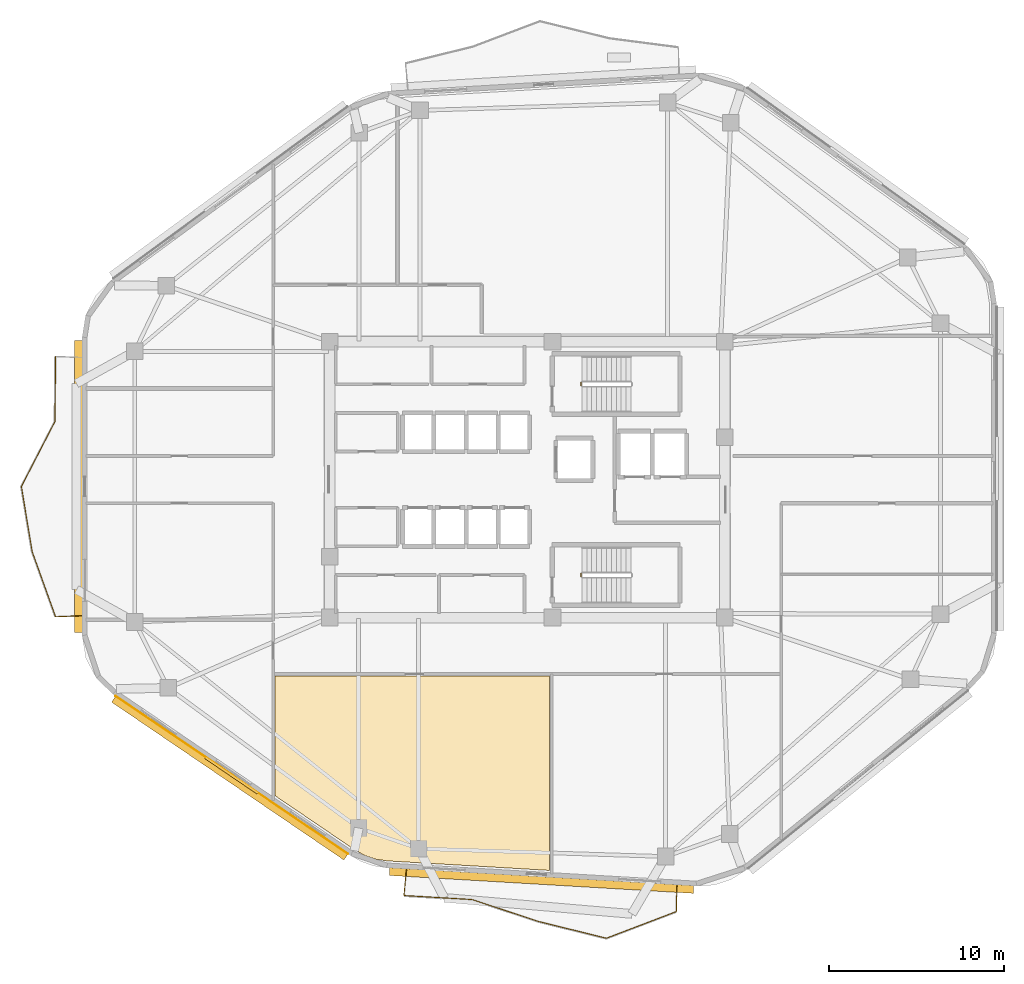
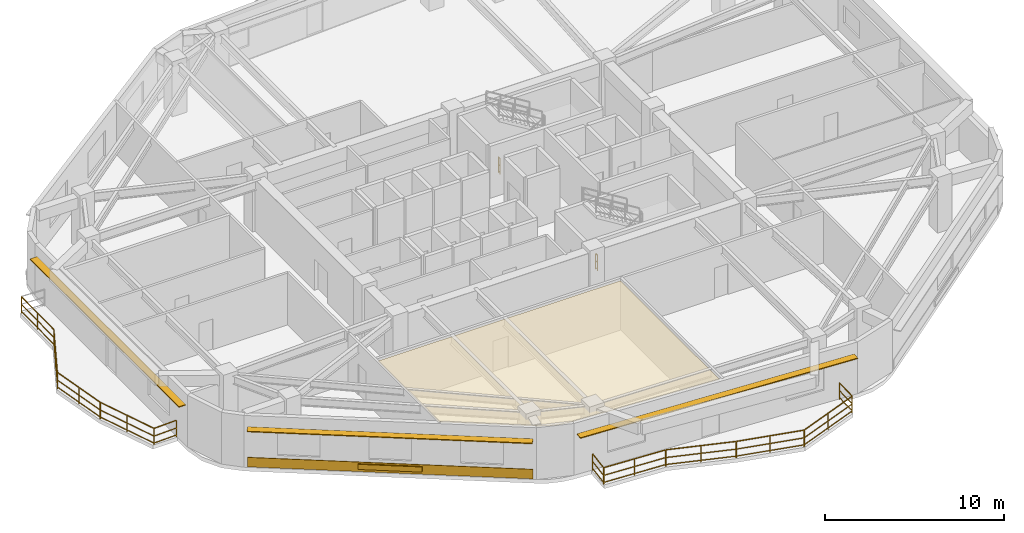
# One storey, part 7 of 9: 13 railings, 4 shading devices, 2 coverings.
"""IFC4 building model written with IfcOpenShell, lengths in metres."""

from ifc_helpers import new_model, si_unit, direction, frame, origin, origin_2d, place, context, subcontext, project, spatial, polyline, rectangle, outline, extrude, material, layer, layer_set, type_object, element, save


model = new_model("IFC4")

# Units and contexts
model_context = context("Model", 3, precision=1e-05, world=origin(), true_north=direction((0.0, 1.0)))
body_context = subcontext(model_context, "Body", "Model", "MODEL_VIEW")
ifc_project = project(units=[si_unit("LENGTHUNIT", "METRE"), si_unit("AREAUNIT", "SQUARE_METRE"), si_unit("VOLUMEUNIT", "CUBIC_METRE"), si_unit("PLANEANGLEUNIT", "RADIAN"), si_unit("MASSUNIT", "GRAM", prefix="KILO")], contexts=[model_context])

# Site, building, storey
site_placement = place(None, origin())
site = spatial("IfcSite", under=ifc_project, at=site_placement, CompositionType="ELEMENT")
building_placement = place(site_placement, origin())
building = spatial("IfcBuilding", under=site, at=building_placement, Name="Zulverin Broadcast Headquarters", CompositionType="ELEMENT")
storey_placement = place(building_placement, frame((0.0, 0.0, 212.39990234375)))
storey = spatial("IfcBuildingStorey", under=building, at=storey_placement, Name="L54", CompositionType="ELEMENT", Elevation=212.39990234375)

# Coverings
ifc_material_1 = material(Name="Perforated pale-metal acoustic baffle ceiling", Category="aluminium")
ifc_layer_1 = layer(ifc_material_1, 0.0400390625, Name="Perforated pale-metal acoustic baffle ceiling", Category="aluminium")
ifc_layer_set_1 = layer_set([ifc_layer_1], Name="Perforated pale-metal acoustic baffle ceiling")
covering_type_1 = type_object("IfcCoveringType", Name="COV-CEIL-ACOU", PredefinedType="CEILING", material=ifc_layer_set_1)
covering_1_placement = place(storey_placement, frame((0.0, 0.0, 3.360107421875)))
element("IfcCovering", 1, at=covering_1_placement, inside=storey, type_object=covering_type_1, Name="L54 Acoustic Baffle Ceiling 03", PredefinedType="CEILING", context=body_context, shape_type="SweptSolid", body=[
    extrude(outline(polyline([(27.73193359375, 3.739990234375), (28.343994140625, 3.531982421875), (29.0, 3.431884765625), (38.280029296875, 2.887939453125), (38.280029296875, 13.97998046875), (22.6201171875, 13.97998046875), (22.6201171875, 7.14404296875), (27.156005859375, 4.06396484375), (27.73193359375, 3.739990234375)])), origin(), (0.0, 0.0, 1.0), 0.0400390625),
])
ifc_material_2 = material(Name="Brushed pale-aluminium rainscreen cladding", Category="aluminium")
ifc_layer_2 = layer(ifc_material_2, 0.0400390625, Name="Brushed pale-aluminium rainscreen cladding", Category="aluminium")
ifc_layer_set_2 = layer_set([ifc_layer_2], Name="Brushed pale-aluminium rainscreen cladding")
covering_type_2 = type_object("IfcCoveringType", Name="COV-CLAD-PALE", PredefinedType="CLADDING", material=ifc_layer_set_2)
covering_2_placement = place(storey_placement, frame((20.141845703125, 8.33154296875, 0.05517578125), z_axis=(0.0, 0.0, 1.0), x_axis=(0.82702465201, -0.562165656162, 0.0)))
element("IfcCovering", 2, at=covering_2_placement, inside=storey, type_object=covering_type_2, Name="L54 Brushed Pale-Aluminium Spandrel Cladding 8", PredefinedType="CLADDING", context=body_context, shape_type="SweptSolid", body=[
    extrude(rectangle(XDim=16.03515625, YDim=0.0400390625, at=origin_2d()), origin(), (0.0, 0.0, 1.0), 0.64990234375),
])

# Railings
ifc_material_3 = material(Name="Brushed stainless steel & laminated glass balustrade", Category="steel")
railing_type_1 = type_object("IfcRailingType", Name="RL-GUARD-1150", PredefinedType="GUARDRAIL", material=ifc_material_3)
railing_1_placement = place(storey_placement, frame((10.079833984375, 32.225341796875, 0.0)))
element("IfcRailing", 3, at=railing_1_placement, inside=storey, type_object=railing_type_1, Name="L54 Vertical-Forest Balcony Guardrail BAL_W Segment 02", PredefinedType="GUARDRAIL", context=body_context, shape_type="SweptSolid", body=[
    extrude(rectangle(XDim=0.048095703125, YDim=0.048095703125, at=origin_2d()), frame((0.0, 0.0, 1.1259765625), z_axis=(-0.00827402669, -0.999965769655, 0.0), x_axis=(0.999965769655, -0.00827402669, 0.0)), (0.0, 0.0, 1.0), 3.6884765625),
    extrude(rectangle(XDim=0.0419921875, YDim=0.0419921875, at=origin_2d()), frame((0.0, 0.0, 0.597900390625), z_axis=(-0.00827402669, -0.999965769655, 0.0), x_axis=(0.999965769655, -0.00827402669, 0.0)), (0.0, 0.0, 1.0), 3.6884765625),
    extrude(rectangle(XDim=0.0419921875, YDim=0.0419921875, at=origin_2d()), frame((0.0, 0.0, 0.1201171875), z_axis=(-0.00827402669, -0.999965769655, 0.0), x_axis=(0.999965769655, -0.00827402669, 0.0)), (0.0, 0.0, 1.0), 3.6884765625),
    extrude(rectangle(XDim=0.0419921875, YDim=0.0419921875, at=origin_2d()), origin(), (0.0, 0.0, 1.0), 1.101806640625),
    extrude(rectangle(XDim=0.0419921875, YDim=0.0419921875, at=origin_2d()), frame((-0.01513671875, -1.84423828125, 0.0)), (0.0, 0.0, 1.0), 1.101806640625),
    extrude(rectangle(XDim=0.0419921875, YDim=0.0419921875, at=origin_2d()), frame((-0.030517578125, -3.688232421875, 0.0)), (0.0, 0.0, 1.0), 1.101806640625),
])
railing_2_placement = place(storey_placement, frame((10.04248046875, 28.5087890625, 0.0)))
element("IfcRailing", 4, at=railing_2_placement, inside=storey, type_object=railing_type_1, Name="L54 Vertical-Forest Balcony Guardrail BAL_W Segment 03", PredefinedType="GUARDRAIL", context=body_context, shape_type="SweptSolid", body=[
    extrude(rectangle(XDim=0.048095703125, YDim=0.048095703125, at=origin_2d()), frame((0.0, 0.0, 1.1259765625), z_axis=(-0.458695314059, -0.888593612885, 0.0), x_axis=(0.888593612885, -0.458695314059, 0.0)), (0.0, 0.0, 1.0), 4.154296875),
    extrude(rectangle(XDim=0.0419921875, YDim=0.0419921875, at=origin_2d()), frame((0.0, 0.0, 0.597900390625), z_axis=(-0.458695314059, -0.888593612885, 0.0), x_axis=(0.888593612885, -0.458695314059, 0.0)), (0.0, 0.0, 1.0), 4.154296875),
    extrude(rectangle(XDim=0.0419921875, YDim=0.0419921875, at=origin_2d()), frame((0.0, 0.0, 0.1201171875), z_axis=(-0.458695314059, -0.888593612885, 0.0), x_axis=(0.888593612885, -0.458695314059, 0.0)), (0.0, 0.0, 1.0), 4.154296875),
    extrude(rectangle(XDim=0.0419921875, YDim=0.0419921875, at=origin_2d()), origin(), (0.0, 0.0, 1.0), 1.101806640625),
    extrude(rectangle(XDim=0.0419921875, YDim=0.0419921875, at=origin_2d()), frame((-0.95263671875, -1.845703125, 0.0)), (0.0, 0.0, 1.0), 1.101806640625),
    extrude(rectangle(XDim=0.0419921875, YDim=0.0419921875, at=origin_2d()), frame((-1.905517578125, -3.69140625, 0.0)), (0.0, 0.0, 1.0), 1.101806640625),
])
railing_3_placement = place(storey_placement, frame((8.13232421875, 24.789306640625, 0.0)))
element("IfcRailing", 5, at=railing_3_placement, inside=storey, type_object=railing_type_1, Name="L54 Vertical-Forest Balcony Guardrail BAL_W Segment 04", PredefinedType="GUARDRAIL", context=body_context, shape_type="SweptSolid", body=[
    extrude(rectangle(XDim=0.048095703125, YDim=0.048095703125, at=origin_2d()), frame((0.0, 0.0, 1.1259765625), z_axis=(0.163244690679, -0.986585612588, 0.0), x_axis=(0.986585612588, 0.163244690679, 0.0)), (0.0, 0.0, 1.0), 3.73876953125),
    extrude(rectangle(XDim=0.0419921875, YDim=0.0419921875, at=origin_2d()), frame((0.0, 0.0, 0.597900390625), z_axis=(0.163244690679, -0.986585612588, 0.0), x_axis=(0.986585612588, 0.163244690679, 0.0)), (0.0, 0.0, 1.0), 3.73876953125),
    extrude(rectangle(XDim=0.0419921875, YDim=0.0419921875, at=origin_2d()), frame((0.0, 0.0, 0.1201171875), z_axis=(0.163244690679, -0.986585612588, 0.0), x_axis=(0.986585612588, 0.163244690679, 0.0)), (0.0, 0.0, 1.0), 3.73876953125),
    extrude(rectangle(XDim=0.0419921875, YDim=0.0419921875, at=origin_2d()), origin(), (0.0, 0.0, 1.0), 1.101806640625),
    extrude(rectangle(XDim=0.0419921875, YDim=0.0419921875, at=origin_2d()), frame((0.30517578125, -1.84423828125, 0.0)), (0.0, 0.0, 1.0), 1.101806640625),
    extrude(rectangle(XDim=0.0419921875, YDim=0.0419921875, at=origin_2d()), frame((0.6103515625, -3.688720703125, 0.0)), (0.0, 0.0, 1.0), 1.101806640625),
])
railing_4_placement = place(storey_placement, frame((8.750244140625, 21.07177734375, 0.0)))
element("IfcRailing", 6, at=railing_4_placement, inside=storey, type_object=railing_type_1, Name="L54 Vertical-Forest Balcony Guardrail BAL_W Segment 05", PredefinedType="GUARDRAIL", context=body_context, shape_type="SweptSolid", body=[
    extrude(rectangle(XDim=0.048095703125, YDim=0.048095703125, at=origin_2d()), frame((0.0, 0.0, 1.1259765625), z_axis=(0.337870411102, -0.941192639847, 0.0), x_axis=(0.941192639847, 0.337870411102, 0.0)), (0.0, 0.0, 1.0), 3.920654296875),
    extrude(rectangle(XDim=0.0419921875, YDim=0.0419921875, at=origin_2d()), frame((0.0, 0.0, 0.597900390625), z_axis=(0.337870411102, -0.941192639847, 0.0), x_axis=(0.941192639847, 0.337870411102, 0.0)), (0.0, 0.0, 1.0), 3.920654296875),
    extrude(rectangle(XDim=0.0419921875, YDim=0.0419921875, at=origin_2d()), frame((0.0, 0.0, 0.1201171875), z_axis=(0.337870411102, -0.941192639847, 0.0), x_axis=(0.941192639847, 0.337870411102, 0.0)), (0.0, 0.0, 1.0), 3.920654296875),
    extrude(rectangle(XDim=0.0419921875, YDim=0.0419921875, at=origin_2d()), origin(), (0.0, 0.0, 1.0), 1.101806640625),
    extrude(rectangle(XDim=0.0419921875, YDim=0.0419921875, at=origin_2d()), frame((0.662353515625, -1.84521484375, 0.0)), (0.0, 0.0, 1.0), 1.101806640625),
    extrude(rectangle(XDim=0.0419921875, YDim=0.0419921875, at=origin_2d()), frame((1.32470703125, -3.690185546875, 0.0)), (0.0, 0.0, 1.0), 1.101806640625),
])
railing_5_placement = place(storey_placement, frame((10.094970703125, 17.3681640625, 0.0)))
element("IfcRailing", 7, at=railing_5_placement, inside=storey, type_object=railing_type_1, Name="L54 Vertical-Forest Balcony Guardrail BAL_W Segment 06", PredefinedType="GUARDRAIL", context=body_context, shape_type="SweptSolid", body=[
    extrude(rectangle(XDim=0.048095703125, YDim=0.048095703125, at=origin_2d()), frame((0.0, 0.0, 1.1259765625), z_axis=(0.999181155166, 0.040460093435, 0.0), x_axis=(-0.040460093435, 0.999181155166, 0.0)), (0.0, 0.0, 1.0), 1.46630859375),
    extrude(rectangle(XDim=0.0419921875, YDim=0.0419921875, at=origin_2d()), frame((0.0, 0.0, 0.597900390625), z_axis=(0.999181155166, 0.040460093435, 0.0), x_axis=(-0.040460093435, 0.999181155166, 0.0)), (0.0, 0.0, 1.0), 1.46630859375),
    extrude(rectangle(XDim=0.0419921875, YDim=0.0419921875, at=origin_2d()), frame((0.0, 0.0, 0.1201171875), z_axis=(0.999181155166, 0.040460093435, 0.0), x_axis=(-0.040460093435, 0.999181155166, 0.0)), (0.0, 0.0, 1.0), 1.46630859375),
    extrude(rectangle(XDim=0.0419921875, YDim=0.0419921875, at=origin_2d()), origin(), (0.0, 0.0, 1.0), 1.101806640625),
    extrude(rectangle(XDim=0.0419921875, YDim=0.0419921875, at=origin_2d()), frame((1.465087890625, 0.059326171875, 0.0)), (0.0, 0.0, 1.0), 1.101806640625),
])
railing_6_placement = place(storey_placement, frame((30.113037109375, 2.927001953125, 0.0)))
element("IfcRailing", 8, at=railing_6_placement, inside=storey, type_object=railing_type_1, Name="L54 Vertical-Forest Balcony Guardrail BAL_S Segment 01", PredefinedType="GUARDRAIL", context=body_context, shape_type="SweptSolid", body=[
    extrude(rectangle(XDim=0.048095703125, YDim=0.048095703125, at=origin_2d()), frame((0.0, 0.0, 1.1259765625), z_axis=(-0.099091482002, -0.995078327668, 0.0), x_axis=(0.995078327668, -0.099091482002, 0.0)), (0.0, 0.0, 1.0), 1.466064453125),
    extrude(rectangle(XDim=0.0419921875, YDim=0.0419921875, at=origin_2d()), frame((0.0, 0.0, 0.597900390625), z_axis=(-0.099091482002, -0.995078327668, 0.0), x_axis=(0.995078327668, -0.099091482002, 0.0)), (0.0, 0.0, 1.0), 1.466064453125),
    extrude(rectangle(XDim=0.0419921875, YDim=0.0419921875, at=origin_2d()), frame((0.0, 0.0, 0.1201171875), z_axis=(-0.099091482002, -0.995078327668, 0.0), x_axis=(0.995078327668, -0.099091482002, 0.0)), (0.0, 0.0, 1.0), 1.466064453125),
    extrude(rectangle(XDim=0.0419921875, YDim=0.0419921875, at=origin_2d()), origin(), (0.0, 0.0, 1.0), 1.101806640625),
    extrude(rectangle(XDim=0.0419921875, YDim=0.0419921875, at=origin_2d()), frame((-0.145263671875, -1.458740234375, 0.0)), (0.0, 0.0, 1.0), 1.101806640625),
])
railing_7_placement = place(storey_placement, frame((29.981201171875, 1.452392578125, 0.0)))
element("IfcRailing", 9, at=railing_7_placement, inside=storey, type_object=railing_type_1, Name="L54 Vertical-Forest Balcony Guardrail BAL_S Segment 02", PredefinedType="GUARDRAIL", context=body_context, shape_type="SweptSolid", body=[
    extrude(rectangle(XDim=0.048095703125, YDim=0.048095703125, at=origin_2d()), frame((0.0, 0.0, 1.1259765625), z_axis=(0.998273501922, -0.05873683138, 0.0), x_axis=(0.05873683138, 0.998273501922, 0.0)), (0.0, 0.0, 1.0), 3.865478515625),
    extrude(rectangle(XDim=0.0419921875, YDim=0.0419921875, at=origin_2d()), frame((0.0, 0.0, 0.597900390625), z_axis=(0.998273501922, -0.05873683138, 0.0), x_axis=(0.05873683138, 0.998273501922, 0.0)), (0.0, 0.0, 1.0), 3.865478515625),
    extrude(rectangle(XDim=0.0419921875, YDim=0.0419921875, at=origin_2d()), frame((0.0, 0.0, 0.1201171875), z_axis=(0.998273501922, -0.05873683138, 0.0), x_axis=(0.05873683138, 0.998273501922, 0.0)), (0.0, 0.0, 1.0), 3.865478515625),
    extrude(rectangle(XDim=0.0419921875, YDim=0.0419921875, at=origin_2d()), origin(), (0.0, 0.0, 1.0), 1.101806640625),
    extrude(rectangle(XDim=0.0419921875, YDim=0.0419921875, at=origin_2d()), frame((1.929443359375, -0.113525390625, 0.0)), (0.0, 0.0, 1.0), 1.101806640625),
    extrude(rectangle(XDim=0.0419921875, YDim=0.0419921875, at=origin_2d()), frame((3.85888671875, -0.22705078125, 0.0)), (0.0, 0.0, 1.0), 1.101806640625),
])
railing_8_placement = place(storey_placement, frame((33.869384765625, 1.2197265625, 0.0)))
element("IfcRailing", 10, at=railing_8_placement, inside=storey, type_object=railing_type_1, Name="L54 Vertical-Forest Balcony Guardrail BAL_S Segment 03", PredefinedType="GUARDRAIL", context=body_context, shape_type="SweptSolid", body=[
    extrude(rectangle(XDim=0.048095703125, YDim=0.048095703125, at=origin_2d()), frame((0.0, 0.0, 1.1259765625), z_axis=(0.949824434966, -0.312783539755, 0.0), x_axis=(0.312783539755, 0.949824434966, 0.0)), (0.0, 0.0, 1.0), 4.000244140625),
    extrude(rectangle(XDim=0.0419921875, YDim=0.0419921875, at=origin_2d()), frame((0.0, 0.0, 0.597900390625), z_axis=(0.949824434966, -0.312783539755, 0.0), x_axis=(0.312783539755, 0.949824434966, 0.0)), (0.0, 0.0, 1.0), 4.000244140625),
    extrude(rectangle(XDim=0.0419921875, YDim=0.0419921875, at=origin_2d()), frame((0.0, 0.0, 0.1201171875), z_axis=(0.949824434966, -0.312783539755, 0.0), x_axis=(0.312783539755, 0.949824434966, 0.0)), (0.0, 0.0, 1.0), 4.000244140625),
    extrude(rectangle(XDim=0.0419921875, YDim=0.0419921875, at=origin_2d()), origin(), (0.0, 0.0, 1.0), 1.101806640625),
    extrude(rectangle(XDim=0.0419921875, YDim=0.0419921875, at=origin_2d()), frame((1.89990234375, -0.62548828125, 0.0)), (0.0, 0.0, 1.0), 1.101806640625),
    extrude(rectangle(XDim=0.0419921875, YDim=0.0419921875, at=origin_2d()), frame((3.799560546875, -1.251220703125, 0.0)), (0.0, 0.0, 1.0), 1.101806640625),
])
railing_9_placement = place(storey_placement, frame((37.69775390625, -0.039794921875, 0.0)))
element("IfcRailing", 11, at=railing_9_placement, inside=storey, type_object=railing_type_1, Name="L54 Vertical-Forest Balcony Guardrail BAL_S Segment 04", PredefinedType="GUARDRAIL", context=body_context, shape_type="SweptSolid", body=[
    extrude(rectangle(XDim=0.048095703125, YDim=0.048095703125, at=origin_2d()), frame((0.0, 0.0, 1.1259765625), z_axis=(0.970969628568, -0.239202801819, 0.0), x_axis=(0.239202801819, 0.970969628568, 0.0)), (0.0, 0.0, 1.0), 3.931396484375),
    extrude(rectangle(XDim=0.0419921875, YDim=0.0419921875, at=origin_2d()), frame((0.0, 0.0, 0.597900390625), z_axis=(0.970969628568, -0.239202801819, 0.0), x_axis=(0.239202801819, 0.970969628568, 0.0)), (0.0, 0.0, 1.0), 3.931396484375),
    extrude(rectangle(XDim=0.0419921875, YDim=0.0419921875, at=origin_2d()), frame((0.0, 0.0, 0.1201171875), z_axis=(0.970969628568, -0.239202801819, 0.0), x_axis=(0.239202801819, 0.970969628568, 0.0)), (0.0, 0.0, 1.0), 3.931396484375),
    extrude(rectangle(XDim=0.0419921875, YDim=0.0419921875, at=origin_2d()), origin(), (0.0, 0.0, 1.0), 1.101806640625),
    extrude(rectangle(XDim=0.0419921875, YDim=0.0419921875, at=origin_2d()), frame((1.90869140625, -0.47021484375, 0.0)), (0.0, 0.0, 1.0), 1.101806640625),
    extrude(rectangle(XDim=0.0419921875, YDim=0.0419921875, at=origin_2d()), frame((3.8173828125, -0.9404296875, 0.0)), (0.0, 0.0, 1.0), 1.101806640625),
])
railing_10_placement = place(storey_placement, frame((41.543701171875, -0.978515625, 0.0)))
element("IfcRailing", 12, at=railing_10_placement, inside=storey, type_object=railing_type_1, Name="L54 Vertical-Forest Balcony Guardrail BAL_S Segment 05", PredefinedType="GUARDRAIL", context=body_context, shape_type="SweptSolid", body=[
    extrude(rectangle(XDim=0.048095703125, YDim=0.048095703125, at=origin_2d()), frame((0.0, 0.0, 1.1259765625), z_axis=(0.934382857182, 0.356270509873, 0.0), x_axis=(-0.356270509873, 0.934382857182, 0.0)), (0.0, 0.0, 1.0), 4.242431640625),
    extrude(rectangle(XDim=0.0419921875, YDim=0.0419921875, at=origin_2d()), frame((0.0, 0.0, 0.597900390625), z_axis=(0.934382857182, 0.356270509873, 0.0), x_axis=(-0.356270509873, 0.934382857182, 0.0)), (0.0, 0.0, 1.0), 4.242431640625),
    extrude(rectangle(XDim=0.0419921875, YDim=0.0419921875, at=origin_2d()), frame((0.0, 0.0, 0.1201171875), z_axis=(0.934382857182, 0.356270509873, 0.0), x_axis=(-0.356270509873, 0.934382857182, 0.0)), (0.0, 0.0, 1.0), 4.242431640625),
    extrude(rectangle(XDim=0.0419921875, YDim=0.0419921875, at=origin_2d()), origin(), (0.0, 0.0, 1.0), 1.101806640625),
    extrude(rectangle(XDim=0.0419921875, YDim=0.0419921875, at=origin_2d()), frame((1.98193359375, 0.755859375, 0.0)), (0.0, 0.0, 1.0), 1.101806640625),
    extrude(rectangle(XDim=0.0419921875, YDim=0.0419921875, at=origin_2d()), frame((3.964111328125, 1.511474609375, 0.0)), (0.0, 0.0, 1.0), 1.101806640625),
])
railing_11_placement = place(storey_placement, frame((45.52197265625, 0.55322265625, 0.0)))
element("IfcRailing", 13, at=railing_11_placement, inside=storey, type_object=railing_type_1, Name="L54 Vertical-Forest Balcony Guardrail BAL_S Segment 06", PredefinedType="GUARDRAIL", context=body_context, shape_type="SweptSolid", body=[
    extrude(rectangle(XDim=0.048095703125, YDim=0.048095703125, at=origin_2d()), frame((0.0, 0.0, 1.1259765625), z_axis=(0.018148550851, 0.999835301488, 0.0), x_axis=(-0.999835301488, 0.018148550851, 0.0)), (0.0, 0.0, 1.0), 1.46630859375),
    extrude(rectangle(XDim=0.0419921875, YDim=0.0419921875, at=origin_2d()), frame((0.0, 0.0, 0.597900390625), z_axis=(0.018148550851, 0.999835301488, 0.0), x_axis=(-0.999835301488, 0.018148550851, 0.0)), (0.0, 0.0, 1.0), 1.46630859375),
    extrude(rectangle(XDim=0.0419921875, YDim=0.0419921875, at=origin_2d()), frame((0.0, 0.0, 0.1201171875), z_axis=(0.018148550851, 0.999835301488, 0.0), x_axis=(-0.999835301488, 0.018148550851, 0.0)), (0.0, 0.0, 1.0), 1.46630859375),
    extrude(rectangle(XDim=0.0419921875, YDim=0.0419921875, at=origin_2d()), origin(), (0.0, 0.0, 1.0), 1.101806640625),
    extrude(rectangle(XDim=0.0419921875, YDim=0.0419921875, at=origin_2d()), frame((0.026611328125, 1.466064453125, 0.0)), (0.0, 0.0, 1.0), 1.101806640625),
])
ifc_material_4 = material(Name="Painted galvanized steel tubular guardrail S355JR", Category="steel")
railing_type_2 = type_object("IfcRailingType", Name="RL-ST-GUARD", PredefinedType="GUARDRAIL", material=ifc_material_4)
railing_12_placement = place(storey_placement, frame((40.080078125, 30.550048828125, 0.0)))
element("IfcRailing", 14, at=railing_12_placement, inside=storey, type_object=railing_type_2, Name="L54 ST-1 stair guard 4", PredefinedType="GUARDRAIL", context=body_context, shape_type="SweptSolid", body=[
    extrude(rectangle(XDim=0.048095703125, YDim=0.048095703125, at=origin_2d()), frame((0.0, 0.0, 1.076171875), z_axis=(0.0, 1.0, 0.0), x_axis=(-1.0, 0.0, 0.0)), (0.0, 0.0, 1.0), 0.199951171875),
    extrude(rectangle(XDim=0.0419921875, YDim=0.0419921875, at=origin_2d()), frame((0.0, 0.0, 0.572021484375), z_axis=(0.0, 1.0, 0.0), x_axis=(-1.0, 0.0, 0.0)), (0.0, 0.0, 1.0), 0.199951171875),
    extrude(rectangle(XDim=0.0419921875, YDim=0.0419921875, at=origin_2d()), frame((0.0, 0.0, 0.1201171875), z_axis=(0.0, 1.0, 0.0), x_axis=(-1.0, 0.0, 0.0)), (0.0, 0.0, 1.0), 0.199951171875),
    extrude(rectangle(XDim=0.0419921875, YDim=0.0419921875, at=origin_2d()), origin(), (0.0, 0.0, 1.0), 1.052001953125),
    extrude(rectangle(XDim=0.0419921875, YDim=0.0419921875, at=origin_2d()), frame((0.0, 0.199951171875, 0.0)), (0.0, 0.0, 1.0), 1.052001953125),
])
railing_13_placement = place(storey_placement, frame((40.080078125, 19.64990234375, 0.0)))
element("IfcRailing", 15, at=railing_13_placement, inside=storey, type_object=railing_type_2, Name="L54 ST-2 stair guard 4", PredefinedType="GUARDRAIL", context=body_context, shape_type="SweptSolid", body=[
    extrude(rectangle(XDim=0.048095703125, YDim=0.048095703125, at=origin_2d()), frame((0.0, 0.0, 1.076171875), z_axis=(0.0, 1.0, 0.0), x_axis=(-1.0, 0.0, 0.0)), (0.0, 0.0, 1.0), 0.2001953125),
    extrude(rectangle(XDim=0.0419921875, YDim=0.0419921875, at=origin_2d()), frame((0.0, 0.0, 0.572021484375), z_axis=(0.0, 1.0, 0.0), x_axis=(-1.0, 0.0, 0.0)), (0.0, 0.0, 1.0), 0.2001953125),
    extrude(rectangle(XDim=0.0419921875, YDim=0.0419921875, at=origin_2d()), frame((0.0, 0.0, 0.1201171875), z_axis=(0.0, 1.0, 0.0), x_axis=(-1.0, 0.0, 0.0)), (0.0, 0.0, 1.0), 0.2001953125),
    extrude(rectangle(XDim=0.0419921875, YDim=0.0419921875, at=origin_2d()), origin(), (0.0, 0.0, 1.0), 1.052001953125),
    extrude(rectangle(XDim=0.0419921875, YDim=0.0419921875, at=origin_2d()), frame((0.0, 0.2001953125, 0.0)), (0.0, 0.0, 1.0), 1.052001953125),
])

# Shading devices
ifc_material_5 = material(Name="Anodized pale-metal aluminium acoustic louvre", Category="aluminium")
shading_device_type_1 = type_object("IfcShadingDeviceType", Name="SHD-LOUVRE-350", PredefinedType="USERDEFINED", material=ifc_material_5)
shading_device_1_placement = place(storey_placement, frame((20.125, 8.306884765625, 0.2451171875), z_axis=(0.0, 0.0, 1.0), x_axis=(0.82702465201, -0.562165656162, 0.0)))
element("IfcShadingDevice", 16, at=shading_device_1_placement, inside=storey, type_object=shading_device_type_1, Name="L54 Spandrel Intake Louvre 8", ObjectType="LOUVRE", PredefinedType="USERDEFINED", context=body_context, shape_type="SweptSolid", body=[
    extrude(rectangle(XDim=3.60009765625, YDim=0.1201171875, at=origin_2d()), origin(), (0.0, 0.0, 1.0), 0.35009765625),
])
ifc_material_6 = material(Name="Anodized pale-metal aluminium sunshade", Category="aluminium")
ifc_layer_3 = layer(ifc_material_6, 0.06005859375, Name="Anodized pale-metal aluminium sunshade", Category="aluminium")
ifc_layer_set_3 = layer_set([ifc_layer_3], Name="Anodized pale-metal aluminium sunshade")
shading_device_type_2 = type_object("IfcShadingDeviceType", Name="SS-01_PALE_METAL_ALUMINIUM_SUNSHADE", PredefinedType="USERDEFINED", material=ifc_layer_set_3)
shading_device_2_placement = place(storey_placement, frame((37.821533203125, 2.3134765625, 2.7099609375), z_axis=(0.0, 0.0, 1.0), x_axis=(0.998274435348, -0.058720965002, 0.0)))
element("IfcShadingDevice", 17, at=shading_device_2_placement, inside=storey, type_object=shading_device_type_2, Name="L54 Horizontal Pale-Metal Sunshade Band 1", ObjectType="SUNSHADE", PredefinedType="USERDEFINED", context=body_context, shape_type="SweptSolid", body=[
    extrude(rectangle(XDim=17.38232421875, YDim=0.449951171875, at=origin_2d()), origin(), (0.0, 0.0, 1.0), 0.06005859375),
])
shading_device_3_placement = place(storey_placement, frame((11.39990234375, 24.803955078125, 2.7099609375), z_axis=(0.0, 0.0, 1.0), x_axis=(0.0, -1.0, 0.0)))
element("IfcShadingDevice", 18, at=shading_device_3_placement, inside=storey, type_object=shading_device_type_2, Name="L54 Horizontal Pale-Metal Sunshade Band 7", ObjectType="SUNSHADE", PredefinedType="USERDEFINED", context=body_context, shape_type="SweptSolid", body=[
    extrude(rectangle(XDim=16.672607421875, YDim=0.449951171875, at=origin_2d()), origin(), (0.0, 0.0, 1.0), 0.06005859375),
])
shading_device_4_placement = place(storey_placement, frame((20.034912109375, 8.17431640625, 2.7099609375), z_axis=(0.0, 0.0, 1.0), x_axis=(0.82702465201, -0.562165656162, 0.0)))
element("IfcShadingDevice", 19, at=shading_device_4_placement, inside=storey, type_object=shading_device_type_2, Name="L54 Horizontal Pale-Metal Sunshade Band 8", ObjectType="SUNSHADE", PredefinedType="USERDEFINED", context=body_context, shape_type="SweptSolid", body=[
    extrude(rectangle(XDim=16.03515625, YDim=0.449951171875, at=origin_2d()), origin(), (0.0, 0.0, 1.0), 0.06005859375),
])

save(model, "model.ifc")
